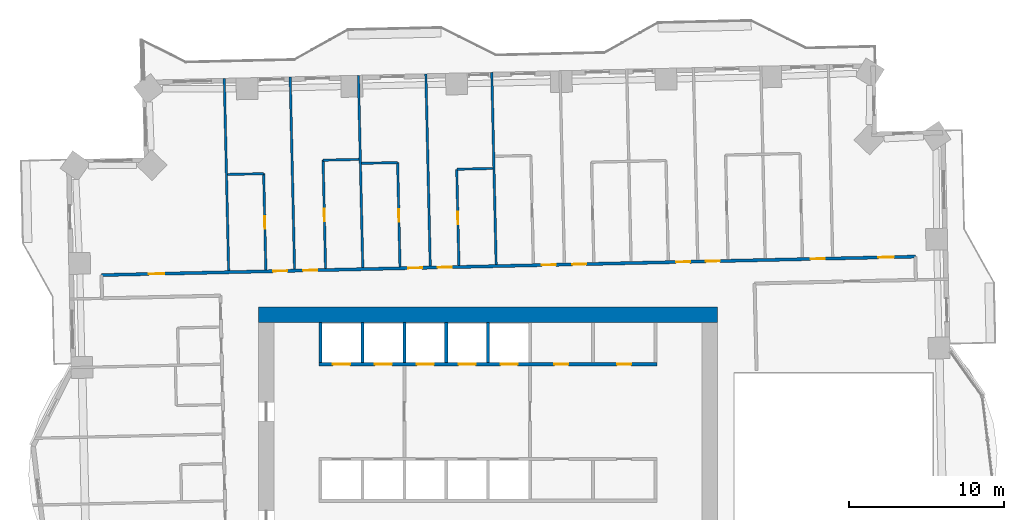
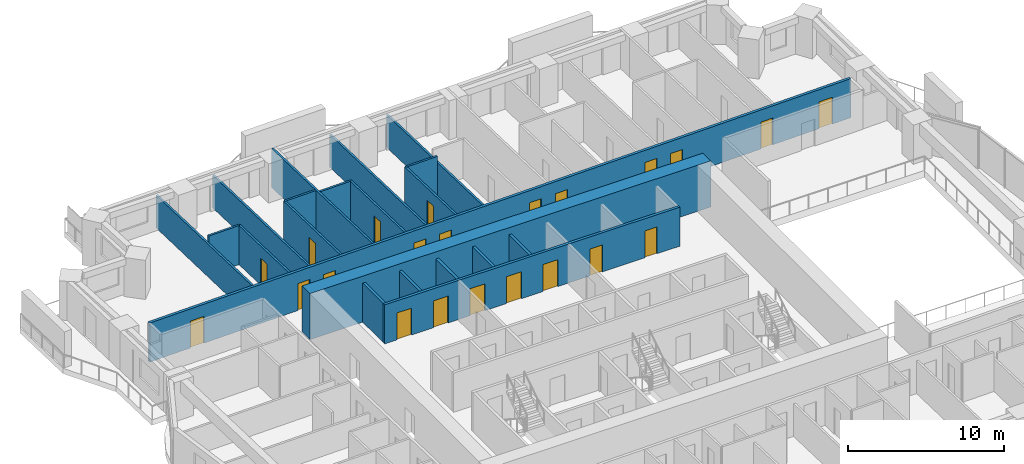
# One storey, part 11 of 17: 22 doors, 21 walls, 22 openings.
"""IFC4 building model written with IfcOpenShell, lengths in metres."""

from ifc_helpers import new_model, si_unit, direction, frame, frame_2d, origin, place, context, subcontext, project, spatial, rectangle, extrude, material, layer, layer_set, type_object, element, fill, save


model = new_model("IFC4")

# Units and contexts
model_context = context("Model", 3, precision=1e-05, world=origin(), true_north=direction((0.0, 1.0)))
body_context = subcontext(model_context, "Body", "Model", "MODEL_VIEW")
ifc_project = project(units=[si_unit("LENGTHUNIT", "METRE"), si_unit("AREAUNIT", "SQUARE_METRE"), si_unit("VOLUMEUNIT", "CUBIC_METRE"), si_unit("PLANEANGLEUNIT", "RADIAN"), si_unit("MASSUNIT", "GRAM", prefix="KILO")], contexts=[model_context])

# Site, building, storey
site_placement = place(None, origin())
site = spatial("IfcSite", under=ifc_project, at=site_placement, CompositionType="ELEMENT")
building_placement = place(site_placement, origin())
building = spatial("IfcBuilding", under=site, at=building_placement, Name="Mangrove Gate Tower", CompositionType="ELEMENT")
storey_placement = place(building_placement, frame((0.0, 0.0, 93.699951171875)))
storey = spatial("IfcBuildingStorey", under=building, at=storey_placement, Name="L23", CompositionType="ELEMENT", Elevation=93.699951171875)

# Wall, openings, doors
ifc_material_1 = material(Name="Concrete C70/85", Category="concrete")
ifc_layer_1 = layer(ifc_material_1, 0.199951171875)
ifc_layer_set_1 = layer_set([ifc_layer_1], Name="Core shaft wall 200 C70/85")
wall_type_1 = type_object("IfcWallType", Name="Core shaft wall 200 C70/85", PredefinedType="SHEAR", material=ifc_layer_set_1)
wall_1_placement = place(storey_placement, frame((-10.89990234375, 8.10009765625, 0.0), z_axis=(0.0, 0.0, 1.0), x_axis=(1.0, 0.0, 0.0)))
wall_1 = element("IfcWall", 1, at=wall_1_placement, inside=storey, type_object=wall_type_1, Name="WALL-L23-CORE-8", PredefinedType="SHEAR", context=body_context, shape_type="SweptSolid", body=[
    extrude(rectangle(XDim=21.7998046875, YDim=0.199951171875, at=frame_2d((10.89990234375, 0.0))), origin(), (0.0, 0.0, 1.0), 3.050048828125),
])
opening_1_placement = place(wall_1_placement, frame((0.89990234375, 0.0, 0.0)))
opening_1 = element("IfcOpeningElement", 2, at=opening_1_placement, cuts=wall_1, Name="Opening LD", PredefinedType="OPENING", context=body_context, shape_type="SweptSolid", body=[
    extrude(rectangle(XDim=1.10009765625, YDim=2.10009765625, at=frame_2d((0.550048828125, 1.050048828125))), frame((0.0, 0.10986328125, 0.0), z_axis=(0.0, -1.0, 0.0), x_axis=(1.0, 0.0, 0.0)), (0.0, 0.0, 1.0), 0.219970703125),
])
opening_2_placement = place(wall_1_placement, frame((3.60009765625, 0.0, 0.0)))
opening_2 = element("IfcOpeningElement", 3, at=opening_2_placement, cuts=wall_1, Name="Opening LD", PredefinedType="OPENING", context=body_context, shape_type="SweptSolid", body=[
    extrude(rectangle(XDim=1.10009765625, YDim=2.10009765625, at=frame_2d((0.550048828125, 1.050048828125))), frame((0.0, 0.10986328125, 0.0), z_axis=(0.0, -1.0, 0.0), x_axis=(1.0, 0.0, 0.0)), (0.0, 0.0, 1.0), 0.219970703125),
])
opening_3_placement = place(wall_1_placement, frame((6.300048828125, 0.0, 0.0)))
opening_3 = element("IfcOpeningElement", 4, at=opening_3_placement, cuts=wall_1, Name="Opening LD", PredefinedType="OPENING", context=body_context, shape_type="SweptSolid", body=[
    extrude(rectangle(XDim=1.10009765625, YDim=2.10009765625, at=frame_2d((0.550048828125, 1.050048828125))), frame((0.0, 0.10986328125, 0.0), z_axis=(0.0, -1.0, 0.0), x_axis=(1.0, 0.0, 0.0)), (0.0, 0.0, 1.0), 0.219970703125),
])
opening_4_placement = place(wall_1_placement, frame((9.0, 0.0, 0.0)))
opening_4 = element("IfcOpeningElement", 5, at=opening_4_placement, cuts=wall_1, Name="Opening LD", PredefinedType="OPENING", context=body_context, shape_type="SweptSolid", body=[
    extrude(rectangle(XDim=1.10009765625, YDim=2.10009765625, at=frame_2d((0.550048828125, 1.050048828125))), frame((0.0, 0.10986328125, 0.0), z_axis=(0.0, -1.0, 0.0), x_axis=(1.0, 0.0, 0.0)), (0.0, 0.0, 1.0), 0.219970703125),
])
opening_5_placement = place(wall_1_placement, frame((11.699951171875, 0.0, 0.0)))
opening_5 = element("IfcOpeningElement", 6, at=opening_5_placement, cuts=wall_1, Name="Opening LD", PredefinedType="OPENING", context=body_context, shape_type="SweptSolid", body=[
    extrude(rectangle(XDim=1.10009765625, YDim=2.10009765625, at=frame_2d((0.550048828125, 1.050048828125))), frame((0.0, 0.10986328125, 0.0), z_axis=(0.0, -1.0, 0.0), x_axis=(1.0, 0.0, 0.0)), (0.0, 0.0, 1.0), 0.219970703125),
])
opening_6_placement = place(wall_1_placement, frame((15.175048828125, 0.0, 0.0)))
opening_6 = element("IfcOpeningElement", 7, at=opening_6_placement, cuts=wall_1, Name="Opening KD", PredefinedType="OPENING", context=body_context, shape_type="SweptSolid", body=[
    extrude(rectangle(XDim=0.89990234375, YDim=2.10009765625, at=frame_2d((0.449951171875, 1.050048828125))), frame((0.0, 0.10986328125, 0.0), z_axis=(0.0, -1.0, 0.0), x_axis=(1.0, 0.0, 0.0)), (0.0, 0.0, 1.0), 0.219970703125),
])
opening_7_placement = place(wall_1_placement, frame((19.22509765625, 0.0, 0.0)))
opening_7 = element("IfcOpeningElement", 8, at=opening_7_placement, cuts=wall_1, Name="Opening KD", PredefinedType="OPENING", context=body_context, shape_type="SweptSolid", body=[
    extrude(rectangle(XDim=0.89990234375, YDim=2.10009765625, at=frame_2d((0.449951171875, 1.050048828125))), frame((0.0, 0.10986328125, 0.0), z_axis=(0.0, -1.0, 0.0), x_axis=(1.0, 0.0, 0.0)), (0.0, 0.0, 1.0), 0.219970703125),
])
ifc_material_2 = material(Name="Fire-rated steel door set", Category="steel")
door_type_1 = type_object("IfcDoorType", Name="Core room door FD30S 900x2100", OperationType="SINGLE_SWING_RIGHT", PredefinedType="DOOR", material=ifc_material_2)
door_1_placement = place(opening_6_placement, origin())
door_1 = element("IfcDoor", 9, at=door_1_placement, inside=storey, type_object=door_type_1, Name="Core room door Core WC", OperationType="SINGLE_SWING_RIGHT", OverallHeight=2.10009765625, OverallWidth=0.89990234375, PredefinedType="DOOR", context=body_context, shape_type="SweptSolid", body=[
    extrude(rectangle(XDim=0.89990234375, YDim=2.10009765625, at=frame_2d((0.449951171875, 1.050048828125))), frame((0.0, 0.02490234375, 0.0), z_axis=(0.0, -1.0, 0.0), x_axis=(1.0, 0.0, 0.0)), (0.0, 0.0, 1.0), 0.050048828125),
])
fill(opening_6, door_1)
door_2_placement = place(opening_7_placement, origin())
door_2 = element("IfcDoor", 10, at=door_2_placement, inside=storey, type_object=door_type_1, Name="Core room door Pantry store", OperationType="SINGLE_SWING_RIGHT", OverallHeight=2.10009765625, OverallWidth=0.89990234375, PredefinedType="DOOR", context=body_context, shape_type="SweptSolid", body=[
    extrude(rectangle(XDim=0.89990234375, YDim=2.10009765625, at=frame_2d((0.449951171875, 1.050048828125))), frame((0.0, 0.02490234375, 0.0), z_axis=(0.0, -1.0, 0.0), x_axis=(1.0, 0.0, 0.0)), (0.0, 0.0, 1.0), 0.050048828125),
])
fill(opening_7, door_2)
ifc_material_3 = material(Name="Stainless steel 316", Category="steel")
door_type_2 = type_object("IfcDoorType", Name="Lift landing door 1100x2100", OperationType="SLIDING_TO_LEFT", PredefinedType="DOOR", material=ifc_material_3)
door_3_placement = place(opening_1_placement, origin())
door_3 = element("IfcDoor", 11, at=door_3_placement, inside=storey, type_object=door_type_2, Name="Landing door LD P06", OperationType="SLIDING_TO_LEFT", OverallHeight=2.10009765625, OverallWidth=1.10009765625, PredefinedType="DOOR", context=body_context, shape_type="SweptSolid", body=[
    extrude(rectangle(XDim=1.10009765625, YDim=2.10009765625, at=frame_2d((0.550048828125, 1.050048828125))), frame((0.0, 0.02490234375, 0.0), z_axis=(0.0, -1.0, 0.0), x_axis=(1.0, 0.0, 0.0)), (0.0, 0.0, 1.0), 0.050048828125),
])
fill(opening_1, door_3)
door_4_placement = place(opening_2_placement, origin())
door_4 = element("IfcDoor", 12, at=door_4_placement, inside=storey, type_object=door_type_2, Name="Landing door LD P07", OperationType="SLIDING_TO_LEFT", OverallHeight=2.10009765625, OverallWidth=1.10009765625, PredefinedType="DOOR", context=body_context, shape_type="SweptSolid", body=[
    extrude(rectangle(XDim=1.10009765625, YDim=2.10009765625, at=frame_2d((0.550048828125, 1.050048828125))), frame((0.0, 0.02490234375, 0.0), z_axis=(0.0, -1.0, 0.0), x_axis=(1.0, 0.0, 0.0)), (0.0, 0.0, 1.0), 0.050048828125),
])
fill(opening_2, door_4)
door_5_placement = place(opening_3_placement, origin())
door_5 = element("IfcDoor", 13, at=door_5_placement, inside=storey, type_object=door_type_2, Name="Landing door LD P08", OperationType="SLIDING_TO_LEFT", OverallHeight=2.10009765625, OverallWidth=1.10009765625, PredefinedType="DOOR", context=body_context, shape_type="SweptSolid", body=[
    extrude(rectangle(XDim=1.10009765625, YDim=2.10009765625, at=frame_2d((0.550048828125, 1.050048828125))), frame((0.0, 0.02490234375, 0.0), z_axis=(0.0, -1.0, 0.0), x_axis=(1.0, 0.0, 0.0)), (0.0, 0.0, 1.0), 0.050048828125),
])
fill(opening_3, door_5)
door_6_placement = place(opening_4_placement, origin())
door_6 = element("IfcDoor", 14, at=door_6_placement, inside=storey, type_object=door_type_2, Name="Landing door LD P09", OperationType="SLIDING_TO_LEFT", OverallHeight=2.10009765625, OverallWidth=1.10009765625, PredefinedType="DOOR", context=body_context, shape_type="SweptSolid", body=[
    extrude(rectangle(XDim=1.10009765625, YDim=2.10009765625, at=frame_2d((0.550048828125, 1.050048828125))), frame((0.0, 0.02490234375, 0.0), z_axis=(0.0, -1.0, 0.0), x_axis=(1.0, 0.0, 0.0)), (0.0, 0.0, 1.0), 0.050048828125),
])
fill(opening_4, door_6)
door_7_placement = place(opening_5_placement, origin())
door_7 = element("IfcDoor", 15, at=door_7_placement, inside=storey, type_object=door_type_2, Name="Landing door LD P10", OperationType="SLIDING_TO_LEFT", OverallHeight=2.10009765625, OverallWidth=1.10009765625, PredefinedType="DOOR", context=body_context, shape_type="SweptSolid", body=[
    extrude(rectangle(XDim=1.10009765625, YDim=2.10009765625, at=frame_2d((0.550048828125, 1.050048828125))), frame((0.0, 0.02490234375, 0.0), z_axis=(0.0, -1.0, 0.0), x_axis=(1.0, 0.0, 0.0)), (0.0, 0.0, 1.0), 0.050048828125),
])
fill(opening_5, door_7)

# Walls
for number, where, z_axis, x_axis, name in (
    (16, (-10.800048828125, 8.199951171875, 0.0), (0.0, 0.0, 1.0), (0.0, 1.0, 0.0), "WALL-L23-CORE-27"),
    (17, (-8.10009765625, 8.199951171875, 0.0), (0.0, 0.0, 1.0), (0.0, 1.0, 0.0), "WALL-L23-CORE-28"),
    (18, (-5.39990234375, 8.199951171875, 0.0), (0.0, 0.0, 1.0), (0.0, 1.0, 0.0), "WALL-L23-CORE-29"),
    (19, (-2.699951171875, 8.199951171875, 0.0), (0.0, 0.0, 1.0), (0.0, 1.0, 0.0), "WALL-L23-CORE-30"),
    (20, (0.0, 8.199951171875, 0.0), (0.0, 0.0, 1.0), (0.0, 1.0, 0.0), "WALL-L23-CORE-31"),
):
    element("IfcWall", number, at=place(storey_placement, frame(where, z_axis=z_axis, x_axis=x_axis)), inside=storey, type_object=wall_type_1, Name=name, PredefinedType="SHEAR", context=body_context, shape_type="SweptSolid", body=[
        extrude(rectangle(XDim=2.60009765625, YDim=0.199951171875, at=frame_2d((1.300048828125, 0.0))), origin(), (0.0, 0.0, 1.0), 3.050048828125),
    ])
ifc_material_4 = material(Name="Concrete C70/85", Category="concrete")
ifc_layer_2 = layer(ifc_material_4, 1.0)
ifc_layer_set_2 = layer_set([ifc_layer_2], Name="Core wall 1000 C70/85")
wall_type_2 = type_object("IfcWallType", Name="Core wall 1000 C70/85", PredefinedType="SHEAR", material=ifc_layer_set_2)
wall_2_placement = place(storey_placement, frame((-14.800048828125, 11.300048828125, 0.0), z_axis=(0.0, 0.0, 1.0), x_axis=(1.0, 0.0, 0.0)))
element("IfcWall", 21, at=wall_2_placement, inside=storey, type_object=wall_type_2, Name="WALL-L23-CORE-2", PredefinedType="SHEAR", context=body_context, shape_type="SweptSolid", body=[
    extrude(rectangle(XDim=29.60009765625, YDim=1.0, at=frame_2d((14.800048828125, 0.0))), origin(), (0.0, 0.0, 1.0), 3.60009765625),
])

# Wall, openings, doors
ifc_material_5 = material(Name="Gypsum board on steel stud, EI 60", Category="steel")
ifc_layer_3 = layer(ifc_material_5, 0.199951171875)
ifc_layer_set_3 = layer_set([ifc_layer_3], Name="Corridor wall EI 60")
wall_type_3 = type_object("IfcWallType", Name="Corridor wall EI 60", PredefinedType="PARTITIONING", material=ifc_layer_set_3)
wall_3_placement = place(storey_placement, frame((-24.919921875, 13.85107421875, 0.0), z_axis=(0.0, 0.0, 1.0), x_axis=(0.999742411711, 0.022696039895, 0.0)))
wall_3 = element("IfcWall", 22, at=wall_3_placement, inside=storey, type_object=wall_type_3, Name="WALL-L23-059", PredefinedType="PARTITIONING", context=body_context, shape_type="SweptSolid", body=[
    extrude(rectangle(XDim=52.472412109375, YDim=0.199951171875, at=frame_2d((26.236328125, 0.0))), origin(), (0.0, 0.0, 1.0), 3.050048828125),
])
opening_8_placement = place(wall_3_placement, frame((50.087890625, 0.0, 0.0)))
opening_8 = element("IfcOpeningElement", 23, at=opening_8_placement, cuts=wall_3, Name="Opening AD", PredefinedType="OPENING", context=body_context, shape_type="SweptSolid", body=[
    extrude(rectangle(XDim=1.0, YDim=2.10009765625, at=frame_2d((0.5, 1.050048828125))), frame((0.0, 0.10986328125, 0.0), z_axis=(0.0, -1.0, 0.0), x_axis=(1.0, 0.0, 0.0)), (0.0, 0.0, 1.0), 0.219970703125),
])
opening_9_placement = place(wall_3_placement, frame((45.72509765625, 0.0, 0.0)))
opening_9 = element("IfcOpeningElement", 24, at=opening_9_placement, cuts=wall_3, Name="Opening BD", PredefinedType="OPENING", context=body_context, shape_type="SweptSolid", body=[
    extrude(rectangle(XDim=0.89990234375, YDim=2.10009765625, at=frame_2d((0.449951171875, 1.050048828125))), frame((0.0, 0.10986328125, 0.0), z_axis=(0.0, -1.0, 0.0), x_axis=(1.0, 0.0, 0.0)), (0.0, 0.0, 1.0), 0.219970703125),
])
opening_10_placement = place(wall_3_placement, frame((38.97509765625, 0.0, 0.0)))
opening_10 = element("IfcOpeningElement", 25, at=opening_10_placement, cuts=wall_3, Name="Opening BD", PredefinedType="OPENING", context=body_context, shape_type="SweptSolid", body=[
    extrude(rectangle(XDim=0.89990234375, YDim=2.10009765625, at=frame_2d((0.449951171875, 1.050048828125))), frame((0.0, 0.10986328125, 0.0), z_axis=(0.0, -1.0, 0.0), x_axis=(1.0, 0.0, 0.0)), (0.0, 0.0, 1.0), 0.219970703125),
])
opening_11_placement = place(wall_3_placement, frame((37.050048828125, 0.0, 0.0)))
opening_11 = element("IfcOpeningElement", 26, at=opening_11_placement, cuts=wall_3, Name="Opening BD", PredefinedType="OPENING", context=body_context, shape_type="SweptSolid", body=[
    extrude(rectangle(XDim=0.89990234375, YDim=2.10009765625, at=frame_2d((0.449951171875, 1.050048828125))), frame((0.0, 0.10986328125, 0.0), z_axis=(0.0, -1.0, 0.0), x_axis=(1.0, 0.0, 0.0)), (0.0, 0.0, 1.0), 0.219970703125),
])
opening_12_placement = place(wall_3_placement, frame((30.35009765625, 0.0, 0.0)))
opening_12 = element("IfcOpeningElement", 27, at=opening_12_placement, cuts=wall_3, Name="Opening BD", PredefinedType="OPENING", context=body_context, shape_type="SweptSolid", body=[
    extrude(rectangle(XDim=0.89990234375, YDim=2.10009765625, at=frame_2d((0.449951171875, 1.050048828125))), frame((0.0, 0.10986328125, 0.0), z_axis=(0.0, -1.0, 0.0), x_axis=(1.0, 0.0, 0.0)), (0.0, 0.0, 1.0), 0.219970703125),
])
opening_13_placement = place(wall_3_placement, frame((28.39990234375, 0.0, 0.0)))
opening_13 = element("IfcOpeningElement", 28, at=opening_13_placement, cuts=wall_3, Name="Opening BD", PredefinedType="OPENING", context=body_context, shape_type="SweptSolid", body=[
    extrude(rectangle(XDim=0.89990234375, YDim=2.10009765625, at=frame_2d((0.449951171875, 1.050048828125))), frame((0.0, 0.10986328125, 0.0), z_axis=(0.0, -1.0, 0.0), x_axis=(1.0, 0.0, 0.0)), (0.0, 0.0, 1.0), 0.219970703125),
])
opening_14_placement = place(wall_3_placement, frame((21.675048828125, 0.0, 0.0)))
opening_14 = element("IfcOpeningElement", 29, at=opening_14_placement, cuts=wall_3, Name="Opening BD", PredefinedType="OPENING", context=body_context, shape_type="SweptSolid", body=[
    extrude(rectangle(XDim=0.89990234375, YDim=2.10009765625, at=frame_2d((0.449951171875, 1.050048828125))), frame((0.0, 0.10986328125, 0.0), z_axis=(0.0, -1.0, 0.0), x_axis=(1.0, 0.0, 0.0)), (0.0, 0.0, 1.0), 0.219970703125),
])
opening_15_placement = place(wall_3_placement, frame((19.77490234375, 0.0, 0.0)))
opening_15 = element("IfcOpeningElement", 30, at=opening_15_placement, cuts=wall_3, Name="Opening BD", PredefinedType="OPENING", context=body_context, shape_type="SweptSolid", body=[
    extrude(rectangle(XDim=0.89990234375, YDim=2.10009765625, at=frame_2d((0.449951171875, 1.050048828125))), frame((0.0, 0.10986328125, 0.0), z_axis=(0.0, -1.0, 0.0), x_axis=(1.0, 0.0, 0.0)), (0.0, 0.0, 1.0), 0.219970703125),
])
opening_16_placement = place(wall_3_placement, frame((13.0, 0.0, 0.0)))
opening_16 = element("IfcOpeningElement", 31, at=opening_16_placement, cuts=wall_3, Name="Opening BD", PredefinedType="OPENING", context=body_context, shape_type="SweptSolid", body=[
    extrude(rectangle(XDim=0.89990234375, YDim=2.10009765625, at=frame_2d((0.449951171875, 1.050048828125))), frame((0.0, 0.10986328125, 0.0), z_axis=(0.0, -1.0, 0.0), x_axis=(1.0, 0.0, 0.0)), (0.0, 0.0, 1.0), 0.219970703125),
])
opening_17_placement = place(wall_3_placement, frame((11.074951171875, 0.0, 0.0)))
opening_17 = element("IfcOpeningElement", 32, at=opening_17_placement, cuts=wall_3, Name="Opening BD", PredefinedType="OPENING", context=body_context, shape_type="SweptSolid", body=[
    extrude(rectangle(XDim=0.89990234375, YDim=2.10009765625, at=frame_2d((0.449951171875, 1.050048828125))), frame((0.0, 0.10986328125, 0.0), z_axis=(0.0, -1.0, 0.0), x_axis=(1.0, 0.0, 0.0)), (0.0, 0.0, 1.0), 0.219970703125),
])
opening_18_placement = place(wall_3_placement, frame((3.049072265625, 0.0, 0.0)))
opening_18 = element("IfcOpeningElement", 33, at=opening_18_placement, cuts=wall_3, Name="Opening AD", PredefinedType="OPENING", context=body_context, shape_type="SweptSolid", body=[
    extrude(rectangle(XDim=1.0, YDim=2.10009765625, at=frame_2d((0.5, 1.050048828125))), frame((0.0, 0.10986328125, 0.0), z_axis=(0.0, -1.0, 0.0), x_axis=(1.0, 0.0, 0.0)), (0.0, 0.0, 1.0), 0.219970703125),
])
ifc_material_6 = material(Name="Timber door leaf", Category="wood")
door_type_3 = type_object("IfcDoorType", Name="Amenity door 1000", OperationType="SINGLE_SWING_LEFT", PredefinedType="DOOR", material=ifc_material_6)
door_8_placement = place(opening_8_placement, origin())
door_8 = element("IfcDoor", 34, at=door_8_placement, inside=storey, type_object=door_type_3, Name="DOOR-L23-STU-c3b", OperationType="SINGLE_SWING_LEFT", OverallHeight=2.10009765625, OverallWidth=1.0, PredefinedType="DOOR", context=body_context, shape_type="SweptSolid", body=[
    extrude(rectangle(XDim=1.0, YDim=2.10009765625, at=frame_2d((0.5, 1.050048828125))), frame((0.0, 0.02490234375, 0.0), z_axis=(0.0, -1.0, 0.0), x_axis=(1.0, 0.0, 0.0)), (0.0, 0.0, 1.0), 0.050048828125),
])
fill(opening_8, door_8)
door_9_placement = place(opening_18_placement, origin())
door_9 = element("IfcDoor", 35, at=door_9_placement, inside=storey, type_object=door_type_3, Name="DOOR-L23-LNG-c5a", OperationType="SINGLE_SWING_RIGHT", OverallHeight=2.10009765625, OverallWidth=1.0, PredefinedType="DOOR", context=body_context, shape_type="SweptSolid", body=[
    extrude(rectangle(XDim=1.0, YDim=2.10009765625, at=frame_2d((0.5, 1.050048828125))), frame((0.0, 0.02490234375, 0.0), z_axis=(0.0, -1.0, 0.0), x_axis=(1.0, 0.0, 0.0)), (0.0, 0.0, 1.0), 0.050048828125),
])
fill(opening_18, door_9)
ifc_material_7 = material(Name="Timber door leaf", Category="wood")
door_type_4 = type_object("IfcDoorType", Name="Bedroom door 900", OperationType="SINGLE_SWING_LEFT", PredefinedType="DOOR", material=ifc_material_7)
door_10_placement = place(opening_9_placement, origin())
door_10 = element("IfcDoor", 36, at=door_10_placement, inside=storey, type_object=door_type_4, Name="DOOR-L23-BED-c309", OperationType="SINGLE_SWING_LEFT", OverallHeight=2.10009765625, OverallWidth=0.89990234375, PredefinedType="DOOR", context=body_context, shape_type="SweptSolid", body=[
    extrude(rectangle(XDim=0.89990234375, YDim=2.10009765625, at=frame_2d((0.449951171875, 1.050048828125))), frame((0.0, 0.02490234375, 0.0), z_axis=(0.0, -1.0, 0.0), x_axis=(1.0, 0.0, 0.0)), (0.0, 0.0, 1.0), 0.050048828125),
])
fill(opening_9, door_10)
door_11_placement = place(opening_10_placement, origin())
door_11 = element("IfcDoor", 37, at=door_11_placement, inside=storey, type_object=door_type_4, Name="DOOR-L23-BED-c310", OperationType="SINGLE_SWING_RIGHT", OverallHeight=2.10009765625, OverallWidth=0.89990234375, PredefinedType="DOOR", context=body_context, shape_type="SweptSolid", body=[
    extrude(rectangle(XDim=0.89990234375, YDim=2.10009765625, at=frame_2d((0.449951171875, 1.050048828125))), frame((0.0, 0.02490234375, 0.0), z_axis=(0.0, -1.0, 0.0), x_axis=(1.0, 0.0, 0.0)), (0.0, 0.0, 1.0), 0.050048828125),
])
fill(opening_10, door_11)
door_12_placement = place(opening_11_placement, origin())
door_12 = element("IfcDoor", 38, at=door_12_placement, inside=storey, type_object=door_type_4, Name="DOOR-L23-BED-c311", OperationType="SINGLE_SWING_LEFT", OverallHeight=2.10009765625, OverallWidth=0.89990234375, PredefinedType="DOOR", context=body_context, shape_type="SweptSolid", body=[
    extrude(rectangle(XDim=0.89990234375, YDim=2.10009765625, at=frame_2d((0.449951171875, 1.050048828125))), frame((0.0, 0.02490234375, 0.0), z_axis=(0.0, -1.0, 0.0), x_axis=(1.0, 0.0, 0.0)), (0.0, 0.0, 1.0), 0.050048828125),
])
fill(opening_11, door_12)
door_13_placement = place(opening_12_placement, origin())
door_13 = element("IfcDoor", 39, at=door_13_placement, inside=storey, type_object=door_type_4, Name="DOOR-L23-BED-c412", OperationType="SINGLE_SWING_RIGHT", OverallHeight=2.10009765625, OverallWidth=0.89990234375, PredefinedType="DOOR", context=body_context, shape_type="SweptSolid", body=[
    extrude(rectangle(XDim=0.89990234375, YDim=2.10009765625, at=frame_2d((0.449951171875, 1.050048828125))), frame((0.0, 0.02490234375, 0.0), z_axis=(0.0, -1.0, 0.0), x_axis=(1.0, 0.0, 0.0)), (0.0, 0.0, 1.0), 0.050048828125),
])
fill(opening_12, door_13)
door_14_placement = place(opening_13_placement, origin())
door_14 = element("IfcDoor", 40, at=door_14_placement, inside=storey, type_object=door_type_4, Name="DOOR-L23-BED-c413", OperationType="SINGLE_SWING_LEFT", OverallHeight=2.10009765625, OverallWidth=0.89990234375, PredefinedType="DOOR", context=body_context, shape_type="SweptSolid", body=[
    extrude(rectangle(XDim=0.89990234375, YDim=2.10009765625, at=frame_2d((0.449951171875, 1.050048828125))), frame((0.0, 0.02490234375, 0.0), z_axis=(0.0, -1.0, 0.0), x_axis=(1.0, 0.0, 0.0)), (0.0, 0.0, 1.0), 0.050048828125),
])
fill(opening_13, door_14)
door_15_placement = place(opening_14_placement, origin())
door_15 = element("IfcDoor", 41, at=door_15_placement, inside=storey, type_object=door_type_4, Name="DOOR-L23-BED-c414", OperationType="SINGLE_SWING_RIGHT", OverallHeight=2.10009765625, OverallWidth=0.89990234375, PredefinedType="DOOR", context=body_context, shape_type="SweptSolid", body=[
    extrude(rectangle(XDim=0.89990234375, YDim=2.10009765625, at=frame_2d((0.449951171875, 1.050048828125))), frame((0.0, 0.02490234375, 0.0), z_axis=(0.0, -1.0, 0.0), x_axis=(1.0, 0.0, 0.0)), (0.0, 0.0, 1.0), 0.050048828125),
])
fill(opening_14, door_15)
door_16_placement = place(opening_15_placement, origin())
door_16 = element("IfcDoor", 42, at=door_16_placement, inside=storey, type_object=door_type_4, Name="DOOR-L23-BED-c515", OperationType="SINGLE_SWING_LEFT", OverallHeight=2.10009765625, OverallWidth=0.89990234375, PredefinedType="DOOR", context=body_context, shape_type="SweptSolid", body=[
    extrude(rectangle(XDim=0.89990234375, YDim=2.10009765625, at=frame_2d((0.449951171875, 1.050048828125))), frame((0.0, 0.02490234375, 0.0), z_axis=(0.0, -1.0, 0.0), x_axis=(1.0, 0.0, 0.0)), (0.0, 0.0, 1.0), 0.050048828125),
])
fill(opening_15, door_16)
door_17_placement = place(opening_16_placement, origin())
door_17 = element("IfcDoor", 43, at=door_17_placement, inside=storey, type_object=door_type_4, Name="DOOR-L23-BED-c516", OperationType="SINGLE_SWING_RIGHT", OverallHeight=2.10009765625, OverallWidth=0.89990234375, PredefinedType="DOOR", context=body_context, shape_type="SweptSolid", body=[
    extrude(rectangle(XDim=0.89990234375, YDim=2.10009765625, at=frame_2d((0.449951171875, 1.050048828125))), frame((0.0, 0.02490234375, 0.0), z_axis=(0.0, -1.0, 0.0), x_axis=(1.0, 0.0, 0.0)), (0.0, 0.0, 1.0), 0.050048828125),
])
fill(opening_16, door_17)
door_18_placement = place(opening_17_placement, origin())
door_18 = element("IfcDoor", 44, at=door_18_placement, inside=storey, type_object=door_type_4, Name="DOOR-L23-BED-c517", OperationType="SINGLE_SWING_LEFT", OverallHeight=2.10009765625, OverallWidth=0.89990234375, PredefinedType="DOOR", context=body_context, shape_type="SweptSolid", body=[
    extrude(rectangle(XDim=0.89990234375, YDim=2.10009765625, at=frame_2d((0.449951171875, 1.050048828125))), frame((0.0, 0.02490234375, 0.0), z_axis=(0.0, -1.0, 0.0), x_axis=(1.0, 0.0, 0.0)), (0.0, 0.0, 1.0), 0.050048828125),
])
fill(opening_17, door_18)

# Wall
ifc_material_8 = material(Name="Gypsum board on steel stud, EI 60", Category="steel")
ifc_layer_4 = layer(ifc_material_8, 0.14990234375)
ifc_layer_set_4 = layer_set([ifc_layer_4], Name="Party wall 150 EI 60")
wall_type_4 = type_object("IfcWallType", Name="Party wall 150 EI 60", PredefinedType="PARTITIONING", material=ifc_layer_set_4)
wall_4_placement = place(storey_placement, frame((-16.72802734375, 14.136962890625, 0.0), z_axis=(0.0, 0.0, 1.0), x_axis=(-0.022661475803, 0.999743195783, 0.0)))
element("IfcWall", 45, at=wall_4_placement, inside=storey, type_object=wall_type_4, Name="WALL-L23-060", PredefinedType="PARTITIONING", context=body_context, shape_type="SweptSolid", body=[
    extrude(rectangle(XDim=12.400146484375, YDim=0.14990234375, at=frame_2d((6.2001953125, 0.0))), origin(), (0.0, 0.0, 1.0), 2.550048828125),
])

# Wall, opening, door
wall_5_placement = place(storey_placement, frame((-14.3291015625, 14.19189453125, 0.0), z_axis=(0.0, 0.0, 1.0), x_axis=(-0.022564860101, 0.999745381129, 0.0)))
wall_5 = element("IfcWall", 46, at=wall_5_placement, inside=storey, type_object=wall_type_4, Name="WALL-L23-061", PredefinedType="PARTITIONING", context=body_context, shape_type="SweptSolid", body=[
    extrude(rectangle(XDim=6.199462890625, YDim=0.14990234375, at=frame_2d((3.099609375, 0.0))), origin(), (0.0, 0.0, 1.0), 3.050048828125),
])
opening_19_placement = place(wall_5_placement, frame((2.64990234375, 0.0, 0.0)))
opening_19 = element("IfcOpeningElement", 47, at=opening_19_placement, cuts=wall_5, Name="Opening ED", PredefinedType="OPENING", context=body_context, shape_type="SweptSolid", body=[
    extrude(rectangle(XDim=0.800048828125, YDim=2.10009765625, at=frame_2d((0.39990234375, 1.050048828125))), frame((0.0, 0.0849609375, 0.0), z_axis=(0.0, -1.0, 0.0), x_axis=(1.0, 0.0, 0.0)), (0.0, 0.0, 1.0), 0.169921875),
])
ifc_material_9 = material(Name="Timber door leaf", Category="wood")
door_type_5 = type_object("IfcDoorType", Name="En-suite door 800", OperationType="SINGLE_SWING_LEFT", PredefinedType="DOOR", material=ifc_material_9)
door_19_placement = place(opening_19_placement, origin())
door_19 = element("IfcDoor", 48, at=door_19_placement, inside=storey, type_object=door_type_5, Name="DOOR-L23-ENS-c517", OperationType="SINGLE_SWING_LEFT", OverallHeight=2.10009765625, OverallWidth=0.800048828125, PredefinedType="DOOR", context=body_context, shape_type="SweptSolid", body=[
    extrude(rectangle(XDim=0.800048828125, YDim=2.10009765625, at=frame_2d((0.39990234375, 1.050048828125))), frame((0.0, 0.02490234375, 0.0), z_axis=(0.0, -1.0, 0.0), x_axis=(1.0, 0.0, 0.0)), (0.0, 0.0, 1.0), 0.050048828125),
])
fill(opening_19, door_19)

# Wall
wall_6_placement = place(storey_placement, frame((-12.47900390625, 14.23388671875, 0.0), z_axis=(0.0, 0.0, 1.0), x_axis=(-0.022661029756, 0.999743205894, 0.0)))
element("IfcWall", 49, at=wall_6_placement, inside=storey, type_object=wall_type_4, Name="WALL-L23-062", PredefinedType="PARTITIONING", context=body_context, shape_type="SweptSolid", body=[
    extrude(rectangle(XDim=12.400390625, YDim=0.14990234375, at=frame_2d((6.2001953125, 0.0))), origin(), (0.0, 0.0, 1.0), 2.550048828125),
])

# Wall, opening, door
wall_7_placement = place(storey_placement, frame((-10.47998046875, 14.279052734375, 0.0), z_axis=(0.0, 0.0, 1.0), x_axis=(-0.022630826984, 0.999743890039, 0.0)))
wall_7 = element("IfcWall", 50, at=wall_7_placement, inside=storey, type_object=wall_type_4, Name="WALL-L23-063", PredefinedType="PARTITIONING", context=body_context, shape_type="SweptSolid", body=[
    extrude(rectangle(XDim=6.979736328125, YDim=0.14990234375, at=frame_2d((3.48974609375, 0.0))), origin(), (0.0, 0.0, 1.0), 3.050048828125),
])
opening_20_placement = place(wall_7_placement, frame((3.0400390625, 0.0, 0.0)))
opening_20 = element("IfcOpeningElement", 51, at=opening_20_placement, cuts=wall_7, Name="Opening ED", PredefinedType="OPENING", context=body_context, shape_type="SweptSolid", body=[
    extrude(rectangle(XDim=0.800048828125, YDim=2.10009765625, at=frame_2d((0.39990234375, 1.050048828125))), frame((0.0, 0.0849609375, 0.0), z_axis=(0.0, -1.0, 0.0), x_axis=(1.0, 0.0, 0.0)), (0.0, 0.0, 1.0), 0.169921875),
])
door_20_placement = place(opening_20_placement, origin())
door_20 = element("IfcDoor", 52, at=door_20_placement, inside=storey, type_object=door_type_5, Name="DOOR-L23-ENS-c516", OperationType="SINGLE_SWING_RIGHT", OverallHeight=2.10009765625, OverallWidth=0.800048828125, PredefinedType="DOOR", context=body_context, shape_type="SweptSolid", body=[
    extrude(rectangle(XDim=0.800048828125, YDim=2.10009765625, at=frame_2d((0.39990234375, 1.050048828125))), frame((0.0, 0.02490234375, 0.0), z_axis=(0.0, -1.0, 0.0), x_axis=(1.0, 0.0, 0.0)), (0.0, 0.0, 1.0), 0.050048828125),
])
fill(opening_20, door_20)

# Wall
wall_8_placement = place(storey_placement, frame((-8.080078125, 14.333984375, 0.0), z_axis=(0.0, 0.0, 1.0), x_axis=(-0.022741979748, 0.999741367733, 0.0)))
element("IfcWall", 53, at=wall_8_placement, inside=storey, type_object=wall_type_4, Name="WALL-L23-064", PredefinedType="PARTITIONING", context=body_context, shape_type="SweptSolid", body=[
    extrude(rectangle(XDim=12.399169921875, YDim=0.14990234375, at=frame_2d((6.19970703125, 0.0))), origin(), (0.0, 0.0, 1.0), 3.050048828125),
])

# Wall, opening, door
wall_9_placement = place(storey_placement, frame((-5.680908203125, 14.387939453125, 0.0), z_axis=(0.0, 0.0, 1.0), x_axis=(-0.022634748998, 0.99974380125, 0.0)))
wall_9 = element("IfcWall", 54, at=wall_9_placement, inside=storey, type_object=wall_type_4, Name="WALL-L23-065", PredefinedType="PARTITIONING", context=body_context, shape_type="SweptSolid", body=[
    extrude(rectangle(XDim=6.7197265625, YDim=0.14990234375, at=frame_2d((3.35986328125, 0.0))), origin(), (0.0, 0.0, 1.0), 3.050048828125),
])
opening_21_placement = place(wall_9_placement, frame((2.909912109375, 0.0, 0.0)))
opening_21 = element("IfcOpeningElement", 55, at=opening_21_placement, cuts=wall_9, Name="Opening ED", PredefinedType="OPENING", context=body_context, shape_type="SweptSolid", body=[
    extrude(rectangle(XDim=0.800048828125, YDim=2.10009765625, at=frame_2d((0.39990234375, 1.050048828125))), frame((0.0, 0.0849609375, 0.0), z_axis=(0.0, -1.0, 0.0), x_axis=(1.0, 0.0, 0.0)), (0.0, 0.0, 1.0), 0.169921875),
])
door_21_placement = place(opening_21_placement, origin())
door_21 = element("IfcDoor", 56, at=door_21_placement, inside=storey, type_object=door_type_5, Name="DOOR-L23-ENS-c515", OperationType="SINGLE_SWING_LEFT", OverallHeight=2.10009765625, OverallWidth=0.800048828125, PredefinedType="DOOR", context=body_context, shape_type="SweptSolid", body=[
    extrude(rectangle(XDim=0.800048828125, YDim=2.10009765625, at=frame_2d((0.39990234375, 1.050048828125))), frame((0.0, 0.02490234375, 0.0), z_axis=(0.0, -1.0, 0.0), x_axis=(1.0, 0.0, 0.0)), (0.0, 0.0, 1.0), 0.050048828125),
])
fill(opening_21, door_21)

# Wall
wall_10_placement = place(storey_placement, frame((-3.73095703125, 14.431884765625, 0.0), z_axis=(0.0, 0.0, 1.0), x_axis=(-0.022739741597, 0.999741418644, 0.0)))
element("IfcWall", 57, at=wall_10_placement, inside=storey, type_object=wall_type_4, Name="WALL-L23-066", PredefinedType="PARTITIONING", context=body_context, shape_type="SweptSolid", body=[
    extrude(rectangle(XDim=12.400390625, YDim=0.14990234375, at=frame_2d((6.2001953125, 0.0))), origin(), (0.0, 0.0, 1.0), 2.550048828125),
])

# Wall, opening, door
wall_11_placement = place(storey_placement, frame((-1.882080078125, 14.47412109375, 0.0), z_axis=(0.0, 0.0, 1.0), x_axis=(-0.022718722157, 0.999741896523, 0.0)))
wall_11 = element("IfcWall", 58, at=wall_11_placement, inside=storey, type_object=wall_type_4, Name="WALL-L23-067", PredefinedType="PARTITIONING", context=body_context, shape_type="SweptSolid", body=[
    extrude(rectangle(XDim=6.20068359375, YDim=0.14990234375, at=frame_2d((3.100341796875, 0.0))), origin(), (0.0, 0.0, 1.0), 3.050048828125),
])
opening_22_placement = place(wall_11_placement, frame((2.64990234375, 0.0, 0.0)))
opening_22 = element("IfcOpeningElement", 59, at=opening_22_placement, cuts=wall_11, Name="Opening ED", PredefinedType="OPENING", context=body_context, shape_type="SweptSolid", body=[
    extrude(rectangle(XDim=0.800048828125, YDim=2.10009765625, at=frame_2d((0.39990234375, 1.050048828125))), frame((0.0, 0.0849609375, 0.0), z_axis=(0.0, -1.0, 0.0), x_axis=(1.0, 0.0, 0.0)), (0.0, 0.0, 1.0), 0.169921875),
])
door_22_placement = place(opening_22_placement, origin())
door_22 = element("IfcDoor", 60, at=door_22_placement, inside=storey, type_object=door_type_5, Name="DOOR-L23-ENS-c414", OperationType="SINGLE_SWING_RIGHT", OverallHeight=2.10009765625, OverallWidth=0.800048828125, PredefinedType="DOOR", context=body_context, shape_type="SweptSolid", body=[
    extrude(rectangle(XDim=0.800048828125, YDim=2.10009765625, at=frame_2d((0.39990234375, 1.050048828125))), frame((0.0, 0.02490234375, 0.0), z_axis=(0.0, -1.0, 0.0), x_axis=(1.0, 0.0, 0.0)), (0.0, 0.0, 1.0), 0.050048828125),
])
fill(opening_22, door_22)

# Walls
wall_12_placement = place(storey_placement, frame((0.51806640625, 14.529052734375, 0.0), z_axis=(0.0, 0.0, 1.0), x_axis=(-0.022740189192, 0.999741408463, 0.0)))
element("IfcWall", 61, at=wall_12_placement, inside=storey, type_object=wall_type_4, Name="WALL-L23-068", PredefinedType="PARTITIONING", context=body_context, shape_type="SweptSolid", body=[
    extrude(rectangle(XDim=12.400146484375, YDim=0.14990234375, at=frame_2d((6.2001953125, 0.0))), origin(), (0.0, 0.0, 1.0), 2.550048828125),
])
for number, where, z_axis, x_axis, name in (
    (62, (-16.7900390625, 20.337890625, 0.0), (0.0, 0.0, 1.0), (0.999749954681, 0.022361308448, 0.0), "WALL-L23-079"),
    (63, (-2.01904296875, 20.673095703125, 0.0), (0.0, 0.0, 1.0), (0.999740478815, 0.022781023197, 0.0), "WALL-L23-080"),
    (64, (-8.154052734375, 21.053955078125, 0.0), (0.0, 0.0, 1.0), (0.999749954681, 0.022361308448, 0.0), "WALL-L23-082"),
):
    element("IfcWall", number, at=place(storey_placement, frame(where, z_axis=z_axis, x_axis=x_axis)), inside=storey, type_object=wall_type_4, Name=name, PredefinedType="PARTITIONING", context=body_context, shape_type="SweptSolid", body=[
        extrude(rectangle(XDim=2.325439453125, YDim=0.14990234375, at=frame_2d((1.16259765625, 0.0))), origin(), (0.0, 0.0, 1.0), 3.050048828125),
    ])
wall_13_placement = place(storey_placement, frame((-10.634033203125, 21.257080078125, 0.0), z_axis=(0.0, 0.0, 1.0), x_axis=(0.999740260747, 0.02279059109, 0.0)))
element("IfcWall", 65, at=wall_13_placement, inside=storey, type_object=wall_type_4, Name="WALL-L23-084", PredefinedType="PARTITIONING", context=body_context, shape_type="SweptSolid", body=[
    extrude(rectangle(XDim=2.324462890625, YDim=0.14990234375, at=frame_2d((1.162109375, 0.0))), origin(), (0.0, 0.0, 1.0), 3.050048828125),
])

save(model, "model.ifc")
